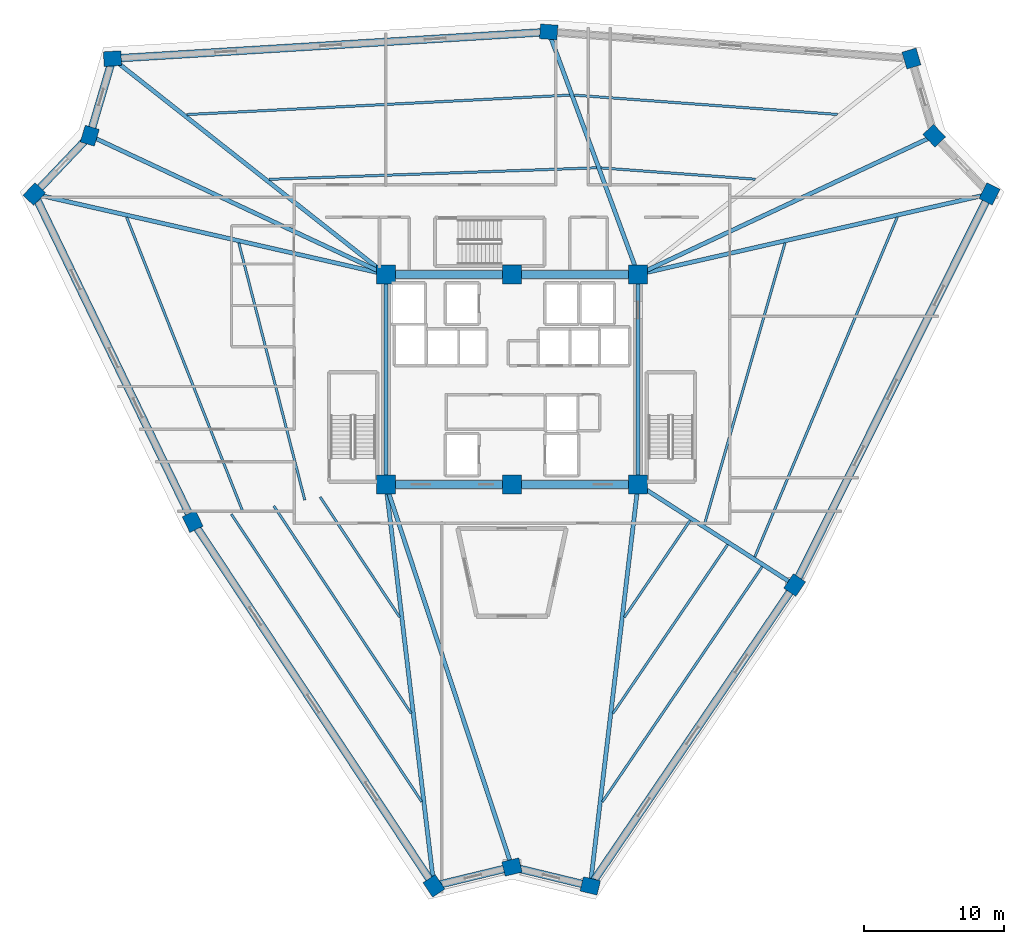
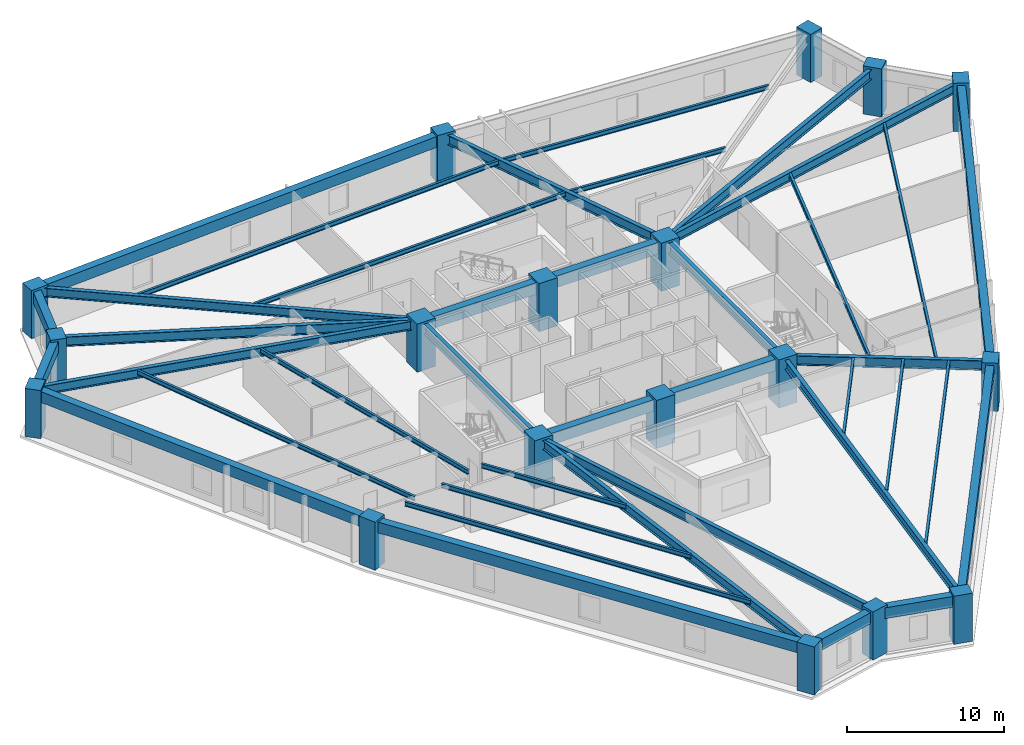
# One storey, part 1 of 10: 39 beams, 18 columns.
"""IFC4 building model written with IfcOpenShell, lengths in metres."""

import ifcopenshell
import ifcopenshell.guid

model = None  # the IFC model being written
_history = None  # IfcOwnerHistory: only IFC2X3 demands one
_inside = {}  # id of a spatial element -> (the spatial element, [elements in it])
_under = {}  # id of a project, library or spatial element -> (it, [spatial elements below it])
_declared = {}  # id of a project -> (the project, [libraries it declares])
_typed = {}  # id of a type object -> (the type object, [elements of that type])
_made_of = {}  # id of a material, layer set ... -> (it, [elements and type objects made of it])


def new_model(schema):
    """Start an empty IFC model of exactly this schema.

    Asked for "IFC4X3", IfcOpenShell would pick the latest addendum, in which some entities
    have other attributes; the version numbers below select the first issue.
    IFC2X3 requires an IfcOwnerHistory on every rooted entity: one is made here for all.
    """
    global model, _history
    if schema == "IFC4X3":
        model = ifcopenshell.file(schema_version=(4, 3, 0, 0))
    else:
        model = ifcopenshell.file(schema=schema)
    _inside.clear()
    _under.clear()
    _declared.clear()
    _typed.clear()
    _made_of.clear()
    _history = None
    if model.schema == "IFC2X3":
        org = make("IfcOrganization", Name="unknown")
        user = make(
            "IfcPersonAndOrganization",
            ThePerson=make("IfcPerson", FamilyName="unknown"),
            TheOrganization=org,
        )
        app = make(
            "IfcApplication",
            ApplicationDeveloper=org,
            Version="unknown",
            ApplicationFullName="unknown",
            ApplicationIdentifier="unknown",
        )
        _history = make(
            "IfcOwnerHistory",
            OwningUser=user,
            OwningApplication=app,
            ChangeAction="ADDED",
            CreationDate=0,
        )
    return model


def make(cls, **values):
    """One entity of the class cls with the attributes given. An attribute that is None is left unset."""
    return model.create_entity(
        cls, **{name: value for name, value in values.items() if value is not None}
    )


def rooted(cls, **values):
    """An entity with a GlobalId (a new one), such as an element, a storey or a relation."""
    return make(cls, GlobalId=ifcopenshell.guid.new(), OwnerHistory=_history, **values)


def si_unit(unit_type, name, prefix=None):
    """IfcSIUnit, for example si_unit("LENGTHUNIT", "METRE", prefix="MILLI")."""
    return make("IfcSIUnit", UnitType=unit_type, Prefix=prefix, Name=name)


def assignment(units):
    """IfcUnitAssignment: the units of a project."""
    return None if units is None else make("IfcUnitAssignment", Units=units)


def point(xyz):
    """IfcCartesianPoint."""
    return None if xyz is None else make("IfcCartesianPoint", Coordinates=xyz)


def direction(xyz):
    """IfcDirection."""
    return None if xyz is None else make("IfcDirection", DirectionRatios=xyz)


def frame(location, z_axis=None, x_axis=None):
    """IfcAxis2Placement3D, a coordinate frame: its origin and axes. An axis left out is left unset."""
    return make(
        "IfcAxis2Placement3D",
        Location=point(location),
        Axis=direction(z_axis),
        RefDirection=direction(x_axis),
    )


def frame_2d(location, x_axis=None):
    """IfcAxis2Placement2D, a coordinate frame in the plane: its origin and x axis."""
    return make(
        "IfcAxis2Placement2D", Location=point(location), RefDirection=direction(x_axis)
    )


def origin():
    """The frame at (0, 0, 0) with its axes left unset."""
    return frame((0.0, 0.0, 0.0))


def origin_2d():
    """The frame at (0, 0) in the plane with its x axis left unset."""
    return frame_2d((0.0, 0.0))


def place(relative_to, where):
    """IfcLocalPlacement: puts the frame where relative to a parent placement (None: the world)."""
    return make(
        "IfcLocalPlacement", PlacementRelTo=relative_to, RelativePlacement=where
    )


def context(
    kind, dimensions, precision=None, world=None, true_north=None, identifier=None
):
    """IfcGeometricRepresentationContext, for example the 3D "Model" context."""
    return make(
        "IfcGeometricRepresentationContext",
        ContextIdentifier=identifier,
        ContextType=kind,
        CoordinateSpaceDimension=dimensions,
        Precision=precision,
        WorldCoordinateSystem=world,
        TrueNorth=true_north,
    )


def subcontext(parent, identifier, kind, view, scale=None):
    """IfcGeometricRepresentationSubContext, for example "Body" below "Model"."""
    return make(
        "IfcGeometricRepresentationSubContext",
        ContextIdentifier=identifier,
        ContextType=kind,
        ParentContext=parent,
        TargetScale=scale,
        TargetView=view,
    )


def project(units=None, contexts=None):
    """IfcProject with its units and contexts."""
    return rooted(
        "IfcProject",
        Name="project",
        RepresentationContexts=contexts,
        UnitsInContext=assignment(units),
    )


def spatial(cls, under=None, at=None, **own):
    """A site, building, storey or space (cls), placed at a placement, below another one or the project."""
    s = rooted(cls, ObjectPlacement=at, **own)
    if under is not None:
        _under.setdefault(under.id(), (under, []))[1].append(s)
    return s


def profile(cls, at=None, kind="AREA", **sizes):
    """A parametric profile (cls). Its sizes go by their IFC names, for example OverallWidth=200.0."""
    return make(cls, ProfileType=kind, Position=at, **sizes)


def rectangle(**sizes):
    """IfcRectangleProfileDef."""
    return profile("IfcRectangleProfileDef", **sizes)


def i_section(**sizes):
    """IfcIShapeProfileDef."""
    return profile("IfcIShapeProfileDef", **sizes)


def extrude(swept, where, along, depth):
    """IfcExtrudedAreaSolid: the profile swept, set in the frame where, extruded along a direction by depth."""
    return make(
        "IfcExtrudedAreaSolid",
        SweptArea=swept,
        Position=where,
        ExtrudedDirection=direction(along),
        Depth=depth,
    )


def shape(context_of_items, identifier, shape_type, items):
    """IfcShapeRepresentation: the items that make up one representation, for example the "Body"."""
    return make(
        "IfcShapeRepresentation",
        ContextOfItems=context_of_items,
        RepresentationIdentifier=identifier,
        RepresentationType=shape_type,
        Items=items,
    )


def source(mapping_origin, context_of_items, identifier, shape_type, items):
    """IfcRepresentationMap: a shape defined once, which mapped items show again and again."""
    return make(
        "IfcRepresentationMap",
        MappingOrigin=mapping_origin,
        MappedRepresentation=shape(context_of_items, identifier, shape_type, items),
    )


def transform(
    local_origin,
    x_axis=None,
    y_axis=None,
    z_axis=None,
    scale=None,
    scale2=None,
    scale3=None,
    uniform=True,
):
    """IfcCartesianTransformationOperator3D, or its non-uniform kind. x_axis, y_axis, z_axis: its Axis1, 2, 3."""
    if uniform:
        return make(
            "IfcCartesianTransformationOperator3D",
            Axis1=direction(x_axis),
            Axis2=direction(y_axis),
            LocalOrigin=point(local_origin),
            Scale=scale,
            Axis3=direction(z_axis),
        )
    return make(
        "IfcCartesianTransformationOperator3DnonUniform",
        Axis1=direction(x_axis),
        Axis2=direction(y_axis),
        LocalOrigin=point(local_origin),
        Scale=scale,
        Axis3=direction(z_axis),
        Scale2=scale2,
        Scale3=scale3,
    )


def mapped(mapping_source, mapping_target):
    """IfcMappedItem: shows the shape of a source again, moved by a transform."""
    return make(
        "IfcMappedItem", MappingSource=mapping_source, MappingTarget=mapping_target
    )


def material(Name=None, Category=None):
    """IfcMaterial."""
    return make("IfcMaterial", Name=Name, Category=Category)


def material_profile(
    of_material, cross_section, Name=None, Category=None, Priority=None
):
    """IfcMaterialProfile: a cross section and its material."""
    return make(
        "IfcMaterialProfile",
        Name=Name,
        Material=of_material,
        Profile=cross_section,
        Priority=Priority,
        Category=Category,
    )


def profile_set(profiles, Name=None, composite=None):
    """IfcMaterialProfileSet."""
    return make(
        "IfcMaterialProfileSet",
        Name=Name,
        MaterialProfiles=profiles,
        CompositeProfile=composite,
    )


def made_of(thing, what):
    """Note that an element or type object is made of a material, layer set ...; save() writes the relation."""
    if what is not None:
        _made_of.setdefault(what.id(), (what, []))[1].append(thing)
    return thing


def type_object(cls, material=None, **own):
    """A type object (cls), such as IfcWallType, which elements share."""
    return made_of(rooted(cls, **own), material)


def element(
    cls,
    number,
    at=None,
    inside=None,
    cuts=None,
    type_object=None,
    material=None,
    context=None,
    identifier="Body",
    shape_type=None,
    held_by="IfcProductDefinitionShape",
    body=None,
    shapes=None,
    **own,
):
    """One element of the class cls, such as IfcWall. Its Tag is "e" and its number.

    at: its placement. inside: the storey or other place that contains it. cuts: it is an
    opening in that element (IfcRelVoidsElement). A single representation is given by context,
    identifier, shape_type and body (its items); several are given by shapes. held_by: the class
    of the entity that holds the representations. save() writes the other relations.
    """
    e = rooted(cls, Tag="e%d" % number, ObjectPlacement=at, **own)
    if body is not None:
        shapes = [shape(context, identifier, shape_type, body)]
    if shapes is not None:
        e.Representation = make(held_by, Representations=shapes)
    if inside is not None:
        _inside.setdefault(inside.id(), (inside, []))[1].append(e)
    if cuts is not None:
        rooted(
            "IfcRelVoidsElement", RelatingBuildingElement=cuts, RelatedOpeningElement=e
        )
    if type_object is not None:
        _typed.setdefault(type_object.id(), (type_object, []))[1].append(e)
    return made_of(e, material)


def aggregate(whole, parts):
    """IfcRelAggregates: a whole, such as a stair, and the parts it consists of."""
    return rooted("IfcRelAggregates", RelatingObject=whole, RelatedObjects=parts)


def save(model, path):
    """Write the relations noted so far, then the file.

    IfcRelAggregates (storeys below a building ...), IfcRelContainedInSpatialStructure (elements
    in a storey), IfcRelDefinesByType, IfcRelAssociatesMaterial and IfcRelDeclares: one each for
    every whole, place, type object, material and project.
    """
    for whole, parts in _under.values():
        aggregate(whole, parts)
    for where, things in _inside.values():
        rooted(
            "IfcRelContainedInSpatialStructure",
            RelatedElements=things,
            RelatingStructure=where,
        )
    for kind, things in _typed.values():
        rooted("IfcRelDefinesByType", RelatedObjects=things, RelatingType=kind)
    for what, things in _made_of.values():
        rooted("IfcRelAssociatesMaterial", RelatedObjects=things, RelatingMaterial=what)
    for by, libraries in _declared.values():
        rooted("IfcRelDeclares", RelatingContext=by, RelatedDefinitions=libraries)
    model.write(path)


model = new_model("IFC4")

# Units and contexts
model_context = context("Model", 3, precision=1e-05, world=origin(), true_north=direction((0.0, 1.0)))
body_context = subcontext(model_context, "Body", "Model", "MODEL_VIEW")
ifc_project = project(units=[si_unit("LENGTHUNIT", "METRE"), si_unit("AREAUNIT", "SQUARE_METRE"), si_unit("VOLUMEUNIT", "CUBIC_METRE"), si_unit("PLANEANGLEUNIT", "RADIAN"), si_unit("MASSUNIT", "GRAM", prefix="KILO")], contexts=[model_context])

# Site, building, storey
site_placement = place(None, origin())
site = spatial("IfcSite", under=ifc_project, at=site_placement, CompositionType="ELEMENT")
building_placement = place(site_placement, origin())
building = spatial("IfcBuilding", under=site, at=building_placement, Name="Liaohun Quay Tower", CompositionType="ELEMENT")
storey_placement = place(building_placement, frame((0.0, 0.0, 194.25)))
storey = spatial("IfcBuildingStorey", under=building, at=storey_placement, Name="L50", CompositionType="ELEMENT", Elevation=194.25)

# Columns
ifc_material_1 = material(Name="Concrete C55", Category="concrete")
ifc_material_profile_1 = material_profile(ifc_material_1, rectangle(XDim=1.35009765625, YDim=1.35009765625, at=origin_2d()), Name="RC1350x1350")
ifc_profile_set_1 = profile_set([ifc_material_profile_1], Name="Concrete C55")
column_type_1 = type_object("IfcColumnType", Name="COL-CC-Z3", PredefinedType="COLUMN", material=ifc_profile_set_1)
shared_shape_1 = source(origin(), body_context, "Body", "SweptSolid", [
    extrude(rectangle(XDim=1.35009765625, YDim=1.35009765625, at=origin_2d()), origin(), (0.0, 0.0, 1.0), 3.75),
])
for number, where, z_axis, x_axis, name in (
    (1, (51.0, 46.5, 0.0), (0.0, 0.0, 1.0), (1.0, 0.0, 0.0), "L50 Core Column CC1"),
    (2, (60.0, 46.5, 0.0), (0.0, 0.0, 1.0), (1.0, 0.0, 0.0), "L50 Core Column CC2"),
    (3, (69.0, 46.5, 0.0), (0.0, 0.0, 1.0), (1.0, 0.0, 0.0), "L50 Core Column CC3"),
    (4, (69.0, 61.5, 0.0), (0.0, 0.0, 1.0), (1.0, 0.0, 0.0), "L50 Core Column CC4"),
    (5, (60.0, 61.5, 0.0), (0.0, 0.0, 1.0), (1.0, 0.0, 0.0), "L50 Core Column CC5"),
    (6, (51.0, 61.5, 0.0), (0.0, 0.0, 1.0), (1.0, 0.0, 0.0), "L50 Core Column CC6"),
):
    element("IfcColumn", number, at=place(storey_placement, frame(where, z_axis=z_axis, x_axis=x_axis)), inside=storey, type_object=column_type_1, Name=name, PredefinedType="COLUMN", context=body_context, shape_type="MappedRepresentation", body=[
        mapped(shared_shape_1, transform((0.0, 0.0, 0.0), x_axis=(1.0, 0.0, 0.0), y_axis=(0.0, 1.0, 0.0), z_axis=(0.0, 0.0, 1.0), scale=1.0)),
    ])
ifc_material_profile_2 = material_profile(ifc_material_1, rectangle(XDim=1.25, YDim=1.050048828125, at=origin_2d()), Name="RC1250x1050")
ifc_profile_set_2 = profile_set([ifc_material_profile_2], Name="Concrete C55")
column_type_2 = type_object("IfcColumnType", Name="COL-PIER-Z3", PredefinedType="COLUMN", material=ifc_profile_set_2)
shared_shape_2 = source(origin(), body_context, "Body", "SweptSolid", [
    extrude(rectangle(XDim=1.25, YDim=1.050048828125, at=origin_2d()), origin(), (0.0, 0.0, 1.0), 3.75),
])
for number, where, z_axis, x_axis, name in (
    (7, (54.423095703125, 17.846923828125, 0.0), (0.0, 0.0, 1.0), (-0.551936985312, 0.833885822067, 0.0), "L50 Perimeter Pier PC01"),
    (8, (37.201904296875, 43.864013671875, 0.0), (0.0, 0.0, 1.0), (-0.435388228011, 0.900242795533, 0.0), "L50 Perimeter Pier PC02"),
    (9, (25.89599609375, 67.240966796875, 0.0), (0.0, 0.0, 1.0), (0.689493141399, 0.724292211723, 0.0), "L50 Perimeter Pier PC03"),
    (10, (29.85693359375, 71.403076171875, 0.0), (0.0, 0.0, 1.0), (0.282676303383, 0.959215360337, 0.0), "L50 Perimeter Pier PC04"),
    (11, (31.47900390625, 76.906005859375, 0.0), (0.0, 0.0, 1.0), (0.998134798422, 0.061048539535, 0.0), "L50 Perimeter Pier PC05"),
    (12, (62.6201171875, 78.81201171875, 0.0), (0.0, 0.0, 1.0), (-0.997327244511, 0.0730641318, 0.0), "L50 Perimeter Pier PC06"),
    (13, (88.51904296875, 76.9130859375, 0.0), (0.0, 0.0, 1.0), (-0.282676303383, 0.959215360337, 0.0), "L50 Perimeter Pier PC07"),
    (14, (90.14306640625, 71.403076171875, 0.0), (0.0, 0.0, 1.0), (-0.689493141399, 0.724292211723, 0.0), "L50 Perimeter Pier PC08"),
    (15, (94.097900390625, 67.2470703125, 0.0), (0.0, 0.0, 1.0), (0.44619781311, 0.894934361602, 0.0), "L50 Perimeter Pier PC09"),
    (16, (80.177978515625, 39.324951171875, 0.0), (0.0, 0.0, 1.0), (0.5619390165, 0.827178663733, 0.0), "L50 Perimeter Pier PC10"),
    (17, (65.5849609375, 17.844970703125, 0.0), (0.0, 0.0, 1.0), (-0.972043021443, 0.234802820391, 0.0), "L50 Perimeter Pier PC11"),
    (18, (60.0, 19.194091796875, 0.0), (0.0, 0.0, 1.0), (0.972043021443, 0.234802820391, 0.0), "L50 Perimeter Pier PC12"),
):
    element("IfcColumn", number, at=place(storey_placement, frame(where, z_axis=z_axis, x_axis=x_axis)), inside=storey, type_object=column_type_2, Name=name, PredefinedType="COLUMN", context=body_context, shape_type="MappedRepresentation", body=[
        mapped(shared_shape_2, transform((0.0, 0.0, 0.0), x_axis=(1.0, 0.0, 0.0), y_axis=(0.0, 1.0, 0.0), z_axis=(0.0, 0.0, 1.0), scale=1.0)),
    ])

# Beams
ifc_material_2 = material(Name="Steel Q355D", Category="steel")
ifc_material_profile_3 = material_profile(ifc_material_2, i_section(OverallWidth=0.300048828125, OverallDepth=0.800048828125, WebThickness=0.013916015625, FlangeThickness=0.02587890625, at=origin_2d()), Name="HN800x300x14x26")
ifc_profile_set_3 = profile_set([ifc_material_profile_3], Name="Steel Q355D")
beam_type_1 = type_object("IfcBeamType", Name="BM-RAD-M1", PredefinedType="BEAM", material=ifc_profile_set_3)
shared_shape_3 = source(origin(), body_context, "Body", "SweptSolid", [
    extrude(i_section(OverallWidth=0.300048828125, OverallDepth=0.800048828125, WebThickness=0.013916015625, FlangeThickness=0.02587890625, at=origin_2d()), origin(), (0.0, 0.0, 1.0), 15.0),
])
for number, where, z_axis, x_axis, name in (
    (19, (69.0, 46.5, 3.169921875), (0.0, 1.0, 0.0), (-1.0, 0.0, 0.0), "L50 Core Coupling/Ring Beam CC3-CC4"),
    (20, (51.0, 61.5, 3.169921875), (0.0, -1.0, 0.0), (1.0, 0.0, 0.0), "L50 Core Coupling/Ring Beam CC6-CC1"),
):
    element("IfcBeam", number, at=place(storey_placement, frame(where, z_axis=z_axis, x_axis=x_axis)), inside=storey, type_object=beam_type_1, Name=name, PredefinedType="BEAM", context=body_context, shape_type="MappedRepresentation", body=[
        mapped(shared_shape_3, transform((0.0, 0.0, 0.0), x_axis=(1.0, 0.0, 0.0), y_axis=(0.0, 1.0, 0.0), z_axis=(0.0, 0.0, 1.0), scale=1.0)),
    ])
ifc_material_profile_4 = material_profile(ifc_material_2, i_section(OverallWidth=0.300048828125, OverallDepth=0.75, WebThickness=0.013916015625, FlangeThickness=0.02587890625, at=origin_2d()), Name="HN750x300x14x26")
ifc_profile_set_4 = profile_set([ifc_material_profile_4], Name="Steel Q355D")
beam_type_2 = type_object("IfcBeamType", Name="BM-RAD-M2", PredefinedType="BEAM", material=ifc_profile_set_4)
shared_shape_4 = source(origin(), body_context, "Body", "SweptSolid", [
    extrude(i_section(OverallWidth=0.300048828125, OverallDepth=0.75, WebThickness=0.013916015625, FlangeThickness=0.02587890625, at=origin_2d()), origin(), (0.0, 0.0, 1.0), 23.347412109375),
])
for number, where, z_axis, x_axis, name in (
    (21, (51.0, 61.5, 3.195068359375), (-0.905586236327, 0.424162196071, 0.0), (-0.424162196071, -0.905586236327, 0.0), "L50 Radial Primary Girder CC6-PC04"),
    (22, (69.0, 61.5, 3.195068359375), (0.905586236327, 0.424162196071, 0.0), (-0.424162196071, 0.905586236327, 0.0), "L50 Radial Primary Girder CC4-PC08"),
):
    element("IfcBeam", number, at=place(storey_placement, frame(where, z_axis=z_axis, x_axis=x_axis)), inside=storey, type_object=beam_type_2, Name=name, PredefinedType="BEAM", context=body_context, shape_type="MappedRepresentation", body=[
        mapped(shared_shape_4, transform((0.0, 0.0, 0.0), x_axis=(1.0, 0.0, 0.0), y_axis=(0.0, 1.0, 0.0), z_axis=(0.0, 0.0, 1.0), scale=1.0)),
    ])
shared_shape_5 = source(origin(), body_context, "Body", "SweptSolid", [
    extrude(i_section(OverallWidth=0.300048828125, OverallDepth=0.75, WebThickness=0.013916015625, FlangeThickness=0.02587890625, at=origin_2d()), origin(), (0.0, 0.0, 1.0), 28.7509765625),
])
beam_1_placement = place(storey_placement, frame((51.0, 46.5, 3.195068359375), z_axis=(0.313033987205, -0.949741924343, 0.0), x_axis=(0.949741924343, 0.313033987205, 0.0)))
element("IfcBeam", 23, at=beam_1_placement, inside=storey, type_object=beam_type_2, Name="L50 Radial Primary Girder CC1-PC12", PredefinedType="BEAM", context=body_context, shape_type="MappedRepresentation", body=[
    mapped(shared_shape_5, transform((0.0, 0.0, 0.0), x_axis=(1.0, 0.0, 0.0), y_axis=(0.0, 1.0, 0.0), z_axis=(0.0, 0.0, 1.0), scale=1.0)),
])
ifc_material_profile_5 = material_profile(ifc_material_1, rectangle(XDim=0.550048828125, YDim=0.89990234375, at=origin_2d()), Name="RC550x900")
ifc_profile_set_5 = profile_set([ifc_material_profile_5], Name="Concrete C55")
beam_type_3 = type_object("IfcBeamType", Name="BM-CPL-2", PredefinedType="LINTEL", material=ifc_profile_set_5)
shared_shape_6 = source(origin(), body_context, "Body", "SweptSolid", [
    extrude(rectangle(XDim=0.550048828125, YDim=0.89990234375, at=origin_2d()), origin(), (0.0, 0.0, 1.0), 9.0),
])
for number, where, z_axis, x_axis, name in (
    (24, (51.0, 46.5, 3.1201171875), (1.0, 0.0, 0.0), (0.0, 1.0, 0.0), "L50 Core Coupling/Ring Beam CC1-CC2"),
    (25, (60.0, 46.5, 3.1201171875), (1.0, 0.0, 0.0), (0.0, 1.0, 0.0), "L50 Core Coupling/Ring Beam CC2-CC3"),
    (26, (69.0, 61.5, 3.1201171875), (-1.0, 0.0, 0.0), (0.0, -1.0, 0.0), "L50 Core Coupling/Ring Beam CC4-CC5"),
    (27, (60.0, 61.5, 3.1201171875), (-1.0, 0.0, 0.0), (0.0, -1.0, 0.0), "L50 Core Coupling/Ring Beam CC5-CC6"),
):
    element("IfcBeam", number, at=place(storey_placement, frame(where, z_axis=z_axis, x_axis=x_axis)), inside=storey, type_object=beam_type_3, Name=name, PredefinedType="LINTEL", context=body_context, shape_type="MappedRepresentation", body=[
        mapped(shared_shape_6, transform((0.0, 0.0, 0.0), x_axis=(1.0, 0.0, 0.0), y_axis=(0.0, 1.0, 0.0), z_axis=(0.0, 0.0, 1.0), scale=1.0)),
    ])
ifc_material_3 = material(Name="Precast concrete C50", Category="concrete")
ifc_material_profile_6 = material_profile(ifc_material_3, rectangle(XDim=0.550048828125, YDim=0.85009765625, at=origin_2d()), Name="RC550x850")
ifc_profile_set_6 = profile_set([ifc_material_profile_6], Name="Precast concrete C50")
beam_type_4 = type_object("IfcBeamType", Name="BM-SPD-Z3", PredefinedType="SPANDREL", material=ifc_profile_set_6)
shared_shape_7 = source(origin(), body_context, "Body", "SweptSolid", [
    extrude(rectangle(XDim=0.550048828125, YDim=0.85009765625, at=origin_2d()), origin(), (0.0, 0.0, 1.0), 5.74560546875),
])
for number, where, z_axis, x_axis, name in (
    (28, (25.89599609375, 67.240966796875, 3.14501953125), (0.689383501103, 0.724396568467, 0.0), (-0.724396568467, 0.689383501103, 0.0), "L50 Precast Spandrel Beam PC03-PC04"),
    (29, (65.5849609375, 17.844970703125, 3.14501953125), (-0.972041420908, 0.234809446229, 0.0), (-0.234809446229, -0.972041420908, 0.0), "L50 Precast Spandrel Beam PC11-PC12"),
):
    element("IfcBeam", number, at=place(storey_placement, frame(where, z_axis=z_axis, x_axis=x_axis)), inside=storey, type_object=beam_type_4, Name=name, PredefinedType="SPANDREL", context=body_context, shape_type="MappedRepresentation", body=[
        mapped(shared_shape_7, transform((0.0, 0.0, 0.0), x_axis=(1.0, 0.0, 0.0), y_axis=(0.0, 1.0, 0.0), z_axis=(0.0, 0.0, 1.0), scale=1.0)),
    ])
shared_shape_8 = source(origin(), body_context, "Body", "SweptSolid", [
    extrude(rectangle(XDim=0.550048828125, YDim=0.85009765625, at=origin_2d()), origin(), (0.0, 0.0, 1.0), 5.737060546875),
])
beam_2_placement = place(storey_placement, frame((29.85693359375, 71.403076171875, 3.14501953125), z_axis=(0.282737653875, 0.9591972785, 0.0), x_axis=(-0.9591972785, 0.282737653875, 0.0)))
element("IfcBeam", 30, at=beam_2_placement, inside=storey, type_object=beam_type_4, Name="L50 Precast Spandrel Beam PC04-PC05", PredefinedType="SPANDREL", context=body_context, shape_type="MappedRepresentation", body=[
    mapped(shared_shape_8, transform((0.0, 0.0, 0.0), x_axis=(1.0, 0.0, 0.0), y_axis=(0.0, 1.0, 0.0), z_axis=(0.0, 0.0, 1.0), scale=1.0)),
])
shared_shape_9 = source(origin(), body_context, "Body", "SweptSolid", [
    extrude(rectangle(XDim=0.550048828125, YDim=0.85009765625, at=origin_2d()), origin(), (0.0, 0.0, 1.0), 31.199462890625),
])
for number, where, z_axis, x_axis, name in (
    (31, (31.47900390625, 76.906005859375, 3.14501953125), (0.99813219255, 0.061091130245, 0.0), (-0.061091130245, 0.99813219255, 0.0), "L50 Precast Spandrel Beam PC05-PC06"),
    (32, (94.097900390625, 67.2470703125, 3.14501953125), (-0.446158454984, -0.894953983759, 0.0), (0.894953983759, -0.446158454984, 0.0), "L50 Precast Spandrel Beam PC09-PC10"),
):
    element("IfcBeam", number, at=place(storey_placement, frame(where, z_axis=z_axis, x_axis=x_axis)), inside=storey, type_object=beam_type_4, Name=name, PredefinedType="SPANDREL", context=body_context, shape_type="MappedRepresentation", body=[
        mapped(shared_shape_9, transform((0.0, 0.0, 0.0), x_axis=(1.0, 0.0, 0.0), y_axis=(0.0, 1.0, 0.0), z_axis=(0.0, 0.0, 1.0), scale=1.0)),
    ])
shared_shape_10 = source(origin(), body_context, "Body", "SweptSolid", [
    extrude(rectangle(XDim=0.550048828125, YDim=0.85009765625, at=origin_2d()), origin(), (0.0, 0.0, 1.0), 5.7373046875),
])
beam_3_placement = place(storey_placement, frame((60.0, 19.194091796875, 3.14501953125), z_axis=(-0.97204169688, -0.234808303786, 0.0), x_axis=(0.234808303786, -0.97204169688, 0.0)))
element("IfcBeam", 33, at=beam_3_placement, inside=storey, type_object=beam_type_4, Name="L50 Precast Spandrel Beam PC12-PC01", PredefinedType="SPANDREL", context=body_context, shape_type="MappedRepresentation", body=[
    mapped(shared_shape_10, transform((0.0, 0.0, 0.0), x_axis=(1.0, 0.0, 0.0), y_axis=(0.0, 1.0, 0.0), z_axis=(0.0, 0.0, 1.0), scale=1.0)),
])
ifc_material_profile_7 = material_profile(ifc_material_2, i_section(OverallWidth=0.300048828125, OverallDepth=0.699951171875, WebThickness=0.012939453125, FlangeThickness=0.02392578125, at=origin_2d()), Name="HN700x300x13x24")
ifc_profile_set_7 = profile_set([ifc_material_profile_7], Name="Steel Q355D")
beam_type_5 = type_object("IfcBeamType", Name="BM-RAD-U1", PredefinedType="BEAM", material=ifc_profile_set_7)
shared_shape_11 = source(origin(), body_context, "Body", "SweptSolid", [
    extrude(i_section(OverallWidth=0.300048828125, OverallDepth=0.699951171875, WebThickness=0.012939453125, FlangeThickness=0.02392578125, at=origin_2d()), origin(), (0.0, 0.0, 1.0), 28.85693359375),
])
beam_4_placement = place(storey_placement, frame((51.0, 46.5, 3.219970703125), z_axis=(0.118623434289, -0.992939313774, 0.0), x_axis=(0.992939313774, 0.118623434289, 0.0)))
element("IfcBeam", 34, at=beam_4_placement, inside=storey, type_object=beam_type_5, Name="L50 Radial Primary Girder CC1-PC01", PredefinedType="BEAM", context=body_context, shape_type="MappedRepresentation", body=[
    mapped(shared_shape_11, transform((0.0, 0.0, 0.0), x_axis=(1.0, 0.0, 0.0), y_axis=(0.0, 1.0, 0.0), z_axis=(0.0, 0.0, 1.0), scale=1.0)),
])
shared_shape_12 = source(origin(), body_context, "Body", "SweptSolid", [
    extrude(i_section(OverallWidth=0.300048828125, OverallDepth=0.699951171875, WebThickness=0.012939453125, FlangeThickness=0.02392578125, at=origin_2d()), origin(), (0.0, 0.0, 1.0), 25.752197265625),
])
beam_5_placement = place(storey_placement, frame((51.0, 61.5, 3.219970703125), z_axis=(-0.974833964827, 0.222932144428, 0.0), x_axis=(-0.222932144428, -0.974833964827, 0.0)))
element("IfcBeam", 35, at=beam_5_placement, inside=storey, type_object=beam_type_5, Name="L50 Radial Primary Girder CC6-PC03", PredefinedType="BEAM", context=body_context, shape_type="MappedRepresentation", body=[
    mapped(shared_shape_12, transform((0.0, 0.0, 0.0), x_axis=(1.0, 0.0, 0.0), y_axis=(0.0, 1.0, 0.0), z_axis=(0.0, 0.0, 1.0), scale=1.0)),
])
shared_shape_13 = source(origin(), body_context, "Body", "SweptSolid", [
    extrude(i_section(OverallWidth=0.300048828125, OverallDepth=0.699951171875, WebThickness=0.012939453125, FlangeThickness=0.02392578125, at=origin_2d()), origin(), (0.0, 0.0, 1.0), 24.867919921875),
])
beam_6_placement = place(storey_placement, frame((51.0, 61.5, 3.219970703125), z_axis=(-0.784986541769, 0.619512816044, 0.0), x_axis=(-0.619512816044, -0.784986541769, 0.0)))
element("IfcBeam", 36, at=beam_6_placement, inside=storey, type_object=beam_type_5, Name="L50 Radial Primary Girder CC6-PC05", PredefinedType="BEAM", context=body_context, shape_type="MappedRepresentation", body=[
    mapped(shared_shape_13, transform((0.0, 0.0, 0.0), x_axis=(1.0, 0.0, 0.0), y_axis=(0.0, 1.0, 0.0), z_axis=(0.0, 0.0, 1.0), scale=1.0)),
])
shared_shape_14 = source(origin(), body_context, "Body", "SweptSolid", [
    extrude(i_section(OverallWidth=0.300048828125, OverallDepth=0.75, WebThickness=0.013916015625, FlangeThickness=0.02587890625, at=origin_2d()), origin(), (0.0, 0.0, 1.0), 18.4501953125),
])
beam_7_placement = place(storey_placement, frame((69.0, 61.5, 3.195068359375), z_axis=(-0.345789980454, 0.938311936094, 0.0), x_axis=(-0.938311936094, -0.345789980454, 0.0)))
element("IfcBeam", 37, at=beam_7_placement, inside=storey, type_object=beam_type_2, Name="L50 Radial Primary Girder CC4-PC06", PredefinedType="BEAM", context=body_context, shape_type="MappedRepresentation", body=[
    mapped(shared_shape_14, transform((0.0, 0.0, 0.0), x_axis=(1.0, 0.0, 0.0), y_axis=(0.0, 1.0, 0.0), z_axis=(0.0, 0.0, 1.0), scale=1.0)),
])
shared_shape_15 = source(origin(), body_context, "Body", "SweptSolid", [
    extrude(i_section(OverallWidth=0.300048828125, OverallDepth=0.699951171875, WebThickness=0.012939453125, FlangeThickness=0.02392578125, at=origin_2d()), origin(), (0.0, 0.0, 1.0), 25.74755859375),
])
beam_8_placement = place(storey_placement, frame((69.0, 61.5, 3.219970703125), z_axis=(0.974770627557, 0.223208923772, 0.0), x_axis=(-0.223208923772, 0.974770627557, 0.0)))
element("IfcBeam", 38, at=beam_8_placement, inside=storey, type_object=beam_type_5, Name="L50 Radial Primary Girder CC4-PC09", PredefinedType="BEAM", context=body_context, shape_type="MappedRepresentation", body=[
    mapped(shared_shape_15, transform((0.0, 0.0, 0.0), x_axis=(1.0, 0.0, 0.0), y_axis=(0.0, 1.0, 0.0), z_axis=(0.0, 0.0, 1.0), scale=1.0)),
])
shared_shape_16 = source(origin(), body_context, "Body", "SweptSolid", [
    extrude(i_section(OverallWidth=0.300048828125, OverallDepth=0.699951171875, WebThickness=0.012939453125, FlangeThickness=0.02392578125, at=origin_2d()), origin(), (0.0, 0.0, 1.0), 28.85791015625),
])
beam_9_placement = place(storey_placement, frame((69.0, 46.5, 3.219970703125), z_axis=(-0.11834020208, -0.992973109692, 0.0), x_axis=(0.992973109692, -0.11834020208, 0.0)))
element("IfcBeam", 39, at=beam_9_placement, inside=storey, type_object=beam_type_5, Name="L50 Radial Primary Girder CC3-PC11", PredefinedType="BEAM", context=body_context, shape_type="MappedRepresentation", body=[
    mapped(shared_shape_16, transform((0.0, 0.0, 0.0), x_axis=(1.0, 0.0, 0.0), y_axis=(0.0, 1.0, 0.0), z_axis=(0.0, 0.0, 1.0), scale=1.0)),
])
ifc_material_profile_8 = material_profile(ifc_material_2, i_section(OverallWidth=0.175048828125, OverallDepth=0.35009765625, WebThickness=0.007080078125, FlangeThickness=0.010986328125, at=origin_2d()), Name="HN350x175x7x11")
ifc_profile_set_8 = profile_set([ifc_material_profile_8], Name="Steel Q355D")
beam_type_6 = type_object("IfcBeamType", Name="BM-SEC-J3", PredefinedType="JOIST", material=ifc_profile_set_8)
shared_shape_17 = source(origin(), body_context, "Body", "SweptSolid", [
    extrude(i_section(OverallWidth=0.175048828125, OverallDepth=0.35009765625, WebThickness=0.007080078125, FlangeThickness=0.010986328125, at=origin_2d()), origin(), (0.0, 0.0, 1.0), 10.274169921875),
])
beam_10_placement = place(storey_placement, frame((51.97900390625, 37.035888671875, 3.39501953125), z_axis=(-0.551856450953, 0.833939121004, 0.0), x_axis=(-0.833939121004, -0.551856450953, 0.0)))
element("IfcBeam", 40, at=beam_10_placement, inside=storey, type_object=beam_type_6, Name="L50 Wing Secondary Floor Joist SJ-01", PredefinedType="JOIST", context=body_context, shape_type="MappedRepresentation", body=[
    mapped(shared_shape_17, transform((0.0, 0.0, 0.0), x_axis=(1.0, 0.0, 0.0), y_axis=(0.0, 1.0, 0.0), z_axis=(0.0, 0.0, 1.0), scale=1.0)),
])
shared_shape_18 = source(origin(), body_context, "Body", "SweptSolid", [
    extrude(i_section(OverallWidth=0.175048828125, OverallDepth=0.35009765625, WebThickness=0.007080078125, FlangeThickness=0.010986328125, at=origin_2d()), origin(), (0.0, 0.0, 1.0), 17.761962890625),
])
beam_11_placement = place(storey_placement, frame((52.801025390625, 30.159912109375, 3.39501953125), z_axis=(-0.5519661419, 0.83386652301, 0.0), x_axis=(-0.83386652301, -0.5519661419, 0.0)))
element("IfcBeam", 41, at=beam_11_placement, inside=storey, type_object=beam_type_6, Name="L50 Wing Secondary Floor Joist SJ-02", PredefinedType="JOIST", context=body_context, shape_type="MappedRepresentation", body=[
    mapped(shared_shape_18, transform((0.0, 0.0, 0.0), x_axis=(1.0, 0.0, 0.0), y_axis=(0.0, 1.0, 0.0), z_axis=(0.0, 0.0, 1.0), scale=1.0)),
])
shared_shape_19 = source(origin(), body_context, "Body", "SweptSolid", [
    extrude(i_section(OverallWidth=0.175048828125, OverallDepth=0.35009765625, WebThickness=0.007080078125, FlangeThickness=0.010986328125, at=origin_2d()), origin(), (0.0, 0.0, 1.0), 24.6259765625),
])
beam_12_placement = place(storey_placement, frame((53.553955078125, 23.85595703125, 3.39501953125), z_axis=(-0.551940305906, 0.833883624205, 0.0), x_axis=(-0.833883624205, -0.551940305906, 0.0)))
element("IfcBeam", 42, at=beam_12_placement, inside=storey, type_object=beam_type_6, Name="L50 Wing Secondary Floor Joist SJ-03", PredefinedType="JOIST", context=body_context, shape_type="MappedRepresentation", body=[
    mapped(shared_shape_19, transform((0.0, 0.0, 0.0), x_axis=(1.0, 0.0, 0.0), y_axis=(0.0, 1.0, 0.0), z_axis=(0.0, 0.0, 1.0), scale=1.0)),
])
shared_shape_20 = source(origin(), body_context, "Body", "SweptSolid", [
    extrude(i_section(OverallWidth=0.175048828125, OverallDepth=0.35009765625, WebThickness=0.007080078125, FlangeThickness=0.010986328125, at=origin_2d()), origin(), (0.0, 0.0, 1.0), 18.948974609375),
])
beam_13_placement = place(storey_placement, frame((45.205078125, 45.39306640625, 3.39501953125), z_axis=(-0.248406348396, 0.968655917277, 0.0), x_axis=(-0.968655917277, -0.248406348396, 0.0)))
element("IfcBeam", 43, at=beam_13_placement, inside=storey, type_object=beam_type_6, Name="L50 Wing Secondary Floor Joist SJ-04", PredefinedType="JOIST", context=body_context, shape_type="MappedRepresentation", body=[
    mapped(shared_shape_20, transform((0.0, 0.0, 0.0), x_axis=(1.0, 0.0, 0.0), y_axis=(0.0, 1.0, 0.0), z_axis=(0.0, 0.0, 1.0), scale=1.0)),
])
shared_shape_21 = source(origin(), body_context, "Body", "SweptSolid", [
    extrude(i_section(OverallWidth=0.175048828125, OverallDepth=0.35009765625, WebThickness=0.007080078125, FlangeThickness=0.010986328125, at=origin_2d()), origin(), (0.0, 0.0, 1.0), 22.6083984375),
])
beam_14_placement = place(storey_placement, frame((40.7890625, 44.549072265625, 3.39501953125), z_axis=(-0.367080234132, 0.930189282732, 0.0), x_axis=(-0.930189282732, -0.367080234132, 0.0)))
element("IfcBeam", 44, at=beam_14_placement, inside=storey, type_object=beam_type_6, Name="L50 Wing Secondary Floor Joist SJ-05", PredefinedType="JOIST", context=body_context, shape_type="MappedRepresentation", body=[
    mapped(shared_shape_21, transform((0.0, 0.0, 0.0), x_axis=(1.0, 0.0, 0.0), y_axis=(0.0, 1.0, 0.0), z_axis=(0.0, 0.0, 1.0), scale=1.0)),
])
shared_shape_22 = source(origin(), body_context, "Body", "SweptSolid", [
    extrude(i_section(OverallWidth=0.175048828125, OverallDepth=0.35009765625, WebThickness=0.007080078125, FlangeThickness=0.010986328125, at=origin_2d()), origin(), (0.0, 0.0, 1.0), 23.406494140625),
])
beam_15_placement = place(storey_placement, frame((42.64306640625, 68.287109375, 3.39501953125), z_axis=(0.999378712478, 0.035244702383, 0.0), x_axis=(-0.035244702383, 0.999378712478, 0.0)))
element("IfcBeam", 45, at=beam_15_placement, inside=storey, type_object=beam_type_6, Name="L50 Wing Secondary Floor Joist SJ-06", PredefinedType="JOIST", context=body_context, shape_type="MappedRepresentation", body=[
    mapped(shared_shape_22, transform((0.0, 0.0, 0.0), x_axis=(1.0, 0.0, 0.0), y_axis=(0.0, 1.0, 0.0), z_axis=(0.0, 0.0, 1.0), scale=1.0)),
])
shared_shape_23 = source(origin(), body_context, "Body", "SweptSolid", [
    extrude(i_section(OverallWidth=0.175048828125, OverallDepth=0.35009765625, WebThickness=0.007080078125, FlangeThickness=0.010986328125, at=origin_2d()), origin(), (0.0, 0.0, 1.0), 27.37548828125),
])
beam_16_placement = place(storey_placement, frame((36.781982421875, 72.912109375, 3.39501953125), z_axis=(0.998708481145, 0.050807181471, 0.0), x_axis=(-0.050807181471, 0.998708481145, 0.0)))
element("IfcBeam", 46, at=beam_16_placement, inside=storey, type_object=beam_type_6, Name="L50 Wing Secondary Floor Joist SJ-07", PredefinedType="JOIST", context=body_context, shape_type="MappedRepresentation", body=[
    mapped(shared_shape_23, transform((0.0, 0.0, 0.0), x_axis=(1.0, 0.0, 0.0), y_axis=(0.0, 1.0, 0.0), z_axis=(0.0, 0.0, 1.0), scale=1.0)),
])
shared_shape_24 = source(origin(), body_context, "Body", "SweptSolid", [
    extrude(i_section(OverallWidth=0.175048828125, OverallDepth=0.35009765625, WebThickness=0.007080078125, FlangeThickness=0.010986328125, at=origin_2d()), origin(), (0.0, 0.0, 1.0), 11.03955078125),
])
beam_17_placement = place(storey_placement, frame((66.35693359375, 69.10498046875, 3.39501953125), z_axis=(0.997325315856, -0.073090453221, 0.0), x_axis=(0.073090453221, 0.997325315856, 0.0)))
element("IfcBeam", 47, at=beam_17_placement, inside=storey, type_object=beam_type_6, Name="L50 Wing Secondary Floor Joist SJ-08", PredefinedType="JOIST", context=body_context, shape_type="MappedRepresentation", body=[
    mapped(shared_shape_24, transform((0.0, 0.0, 0.0), x_axis=(1.0, 0.0, 0.0), y_axis=(0.0, 1.0, 0.0), z_axis=(0.0, 0.0, 1.0), scale=1.0)),
])
shared_shape_25 = source(origin(), body_context, "Body", "SweptSolid", [
    extrude(i_section(OverallWidth=0.175048828125, OverallDepth=0.35009765625, WebThickness=0.007080078125, FlangeThickness=0.010986328125, at=origin_2d()), origin(), (0.0, 0.0, 1.0), 18.830078125),
])
beam_18_placement = place(storey_placement, frame((64.443115234375, 74.299072265625, 3.39501953125), z_axis=(0.997322803117, -0.073124731671, 0.0), x_axis=(0.073124731671, 0.997322803117, 0.0)))
element("IfcBeam", 48, at=beam_18_placement, inside=storey, type_object=beam_type_6, Name="L50 Wing Secondary Floor Joist SJ-09", PredefinedType="JOIST", context=body_context, shape_type="MappedRepresentation", body=[
    mapped(shared_shape_25, transform((0.0, 0.0, 0.0), x_axis=(1.0, 0.0, 0.0), y_axis=(0.0, 1.0, 0.0), z_axis=(0.0, 0.0, 1.0), scale=1.0)),
])
shared_shape_26 = source(origin(), body_context, "Body", "SweptSolid", [
    extrude(rectangle(XDim=0.550048828125, YDim=0.85009765625, at=origin_2d()), origin(), (0.0, 0.0, 1.0), 31.2001953125),
])
beam_19_placement = place(storey_placement, frame((54.423095703125, 17.846923828125, 3.14501953125), z_axis=(-0.551956047239, 0.83387320494, 0.0), x_axis=(-0.83387320494, -0.551956047239, 0.0)))
element("IfcBeam", 49, at=beam_19_placement, inside=storey, type_object=beam_type_4, Name="L50 Precast Spandrel Beam PC01-PC02", PredefinedType="SPANDREL", context=body_context, shape_type="MappedRepresentation", body=[
    mapped(shared_shape_26, transform((0.0, 0.0, 0.0), x_axis=(1.0, 0.0, 0.0), y_axis=(0.0, 1.0, 0.0), z_axis=(0.0, 0.0, 1.0), scale=1.0)),
])
shared_shape_27 = source(origin(), body_context, "Body", "SweptSolid", [
    extrude(rectangle(XDim=0.550048828125, YDim=0.85009765625, at=origin_2d()), origin(), (0.0, 0.0, 1.0), 25.96728515625),
])
beam_20_placement = place(storey_placement, frame((37.201904296875, 43.864013671875, 3.14501953125), z_axis=(-0.43538865129, 0.900242590821, 0.0), x_axis=(-0.900242590821, -0.43538865129, 0.0)))
element("IfcBeam", 50, at=beam_20_placement, inside=storey, type_object=beam_type_4, Name="L50 Precast Spandrel Beam PC02-PC03", PredefinedType="SPANDREL", context=body_context, shape_type="MappedRepresentation", body=[
    mapped(shared_shape_27, transform((0.0, 0.0, 0.0), x_axis=(1.0, 0.0, 0.0), y_axis=(0.0, 1.0, 0.0), z_axis=(0.0, 0.0, 1.0), scale=1.0)),
])
shared_shape_28 = source(origin(), body_context, "Body", "SweptSolid", [
    extrude(rectangle(XDim=0.550048828125, YDim=0.85009765625, at=origin_2d()), origin(), (0.0, 0.0, 1.0), 25.96826171875),
])
beam_21_placement = place(storey_placement, frame((80.177978515625, 39.324951171875, 3.14501953125), z_axis=(-0.56195792721, -0.827165816536, 0.0), x_axis=(0.827165816536, -0.56195792721, 0.0)))
element("IfcBeam", 51, at=beam_21_placement, inside=storey, type_object=beam_type_4, Name="L50 Precast Spandrel Beam PC10-PC11", PredefinedType="SPANDREL", context=body_context, shape_type="MappedRepresentation", body=[
    mapped(shared_shape_28, transform((0.0, 0.0, 0.0), x_axis=(1.0, 0.0, 0.0), y_axis=(0.0, 1.0, 0.0), z_axis=(0.0, 0.0, 1.0), scale=1.0)),
])
shared_shape_29 = source(origin(), body_context, "Body", "SweptSolid", [
    extrude(i_section(OverallWidth=0.300048828125, OverallDepth=0.75, WebThickness=0.013916015625, FlangeThickness=0.02587890625, at=origin_2d()), origin(), (0.0, 0.0, 1.0), 13.28271484375),
])
beam_22_placement = place(storey_placement, frame((69.0, 46.5, 3.195068359375), z_axis=(0.841547944424, -0.540182429588, 0.0), x_axis=(0.540182429588, 0.841547944424, 0.0)))
element("IfcBeam", 52, at=beam_22_placement, inside=storey, type_object=beam_type_2, Name="L50 Radial Primary Girder CC3-PC10", PredefinedType="BEAM", context=body_context, shape_type="MappedRepresentation", body=[
    mapped(shared_shape_29, transform((0.0, 0.0, 0.0), x_axis=(1.0, 0.0, 0.0), y_axis=(0.0, 1.0, 0.0), z_axis=(0.0, 0.0, 1.0), scale=1.0)),
])
shared_shape_30 = source(origin(), body_context, "Body", "SweptSolid", [
    extrude(i_section(OverallWidth=0.175048828125, OverallDepth=0.35009765625, WebThickness=0.007080078125, FlangeThickness=0.010986328125, at=origin_2d()), origin(), (0.0, 0.0, 1.0), 20.91943359375),
])
beam_23_placement = place(storey_placement, frame((79.493896484375, 63.7490234375, 3.39501953125), z_axis=(-0.275143440967, -0.961403186438, 0.0), x_axis=(0.961403186438, -0.275143440967, 0.0)))
element("IfcBeam", 53, at=beam_23_placement, inside=storey, type_object=beam_type_6, Name="L50 Wing Secondary Floor Joist SJ-10", PredefinedType="JOIST", context=body_context, shape_type="MappedRepresentation", body=[
    mapped(shared_shape_30, transform((0.0, 0.0, 0.0), x_axis=(1.0, 0.0, 0.0), y_axis=(0.0, 1.0, 0.0), z_axis=(0.0, 0.0, 1.0), scale=1.0)),
])
shared_shape_31 = source(origin(), body_context, "Body", "SweptSolid", [
    extrude(i_section(OverallWidth=0.175048828125, OverallDepth=0.35009765625, WebThickness=0.007080078125, FlangeThickness=0.010986328125, at=origin_2d()), origin(), (0.0, 0.0, 1.0), 26.298095703125),
])
beam_24_placement = place(storey_placement, frame((87.5009765625, 65.5830078125, 3.39501953125), z_axis=(-0.386718526366, -0.92219779948, 0.0), x_axis=(0.92219779948, -0.386718526366, 0.0)))
element("IfcBeam", 54, at=beam_24_placement, inside=storey, type_object=beam_type_6, Name="L50 Wing Secondary Floor Joist SJ-11", PredefinedType="JOIST", context=body_context, shape_type="MappedRepresentation", body=[
    mapped(shared_shape_31, transform((0.0, 0.0, 0.0), x_axis=(1.0, 0.0, 0.0), y_axis=(0.0, 1.0, 0.0), z_axis=(0.0, 0.0, 1.0), scale=1.0)),
])
shared_shape_32 = source(origin(), body_context, "Body", "SweptSolid", [
    extrude(i_section(OverallWidth=0.175048828125, OverallDepth=0.35009765625, WebThickness=0.007080078125, FlangeThickness=0.010986328125, at=origin_2d()), origin(), (0.0, 0.0, 1.0), 8.352783203125),
])
beam_25_placement = place(storey_placement, frame((72.716064453125, 43.93603515625, 3.39501953125), z_axis=(-0.561983790968, -0.827148244687, 0.0), x_axis=(0.827148244687, -0.561983790968, 0.0)))
element("IfcBeam", 55, at=beam_25_placement, inside=storey, type_object=beam_type_6, Name="L50 Wing Secondary Floor Joist SJ-12", PredefinedType="JOIST", context=body_context, shape_type="MappedRepresentation", body=[
    mapped(shared_shape_32, transform((0.0, 0.0, 0.0), x_axis=(1.0, 0.0, 0.0), y_axis=(0.0, 1.0, 0.0), z_axis=(0.0, 0.0, 1.0), scale=1.0)),
])
shared_shape_33 = source(origin(), body_context, "Body", "SweptSolid", [
    extrude(i_section(OverallWidth=0.175048828125, OverallDepth=0.35009765625, WebThickness=0.007080078125, FlangeThickness=0.010986328125, at=origin_2d()), origin(), (0.0, 0.0, 1.0), 14.58544921875),
])
beam_26_placement = place(storey_placement, frame((75.39892578125, 42.214111328125, 3.39501953125), z_axis=(-0.561998650834, -0.827138148353, 0.0), x_axis=(0.827138148353, -0.561998650834, 0.0)))
element("IfcBeam", 56, at=beam_26_placement, inside=storey, type_object=beam_type_6, Name="L50 Wing Secondary Floor Joist SJ-13", PredefinedType="JOIST", context=body_context, shape_type="MappedRepresentation", body=[
    mapped(shared_shape_33, transform((0.0, 0.0, 0.0), x_axis=(1.0, 0.0, 0.0), y_axis=(0.0, 1.0, 0.0), z_axis=(0.0, 0.0, 1.0), scale=1.0)),
])
shared_shape_34 = source(origin(), body_context, "Body", "SweptSolid", [
    extrude(i_section(OverallWidth=0.175048828125, OverallDepth=0.35009765625, WebThickness=0.007080078125, FlangeThickness=0.010986328125, at=origin_2d()), origin(), (0.0, 0.0, 1.0), 20.29833984375),
])
beam_27_placement = place(storey_placement, frame((77.85791015625, 40.635986328125, 3.39501953125), z_axis=(-0.561964870223, -0.827161099566, 0.0), x_axis=(0.827161099566, -0.561964870223, 0.0)))
element("IfcBeam", 57, at=beam_27_placement, inside=storey, type_object=beam_type_6, Name="L50 Wing Secondary Floor Joist SJ-14", PredefinedType="JOIST", context=body_context, shape_type="MappedRepresentation", body=[
    mapped(shared_shape_34, transform((0.0, 0.0, 0.0), x_axis=(1.0, 0.0, 0.0), y_axis=(0.0, 1.0, 0.0), z_axis=(0.0, 0.0, 1.0), scale=1.0)),
])

save(model, "model.ifc")
